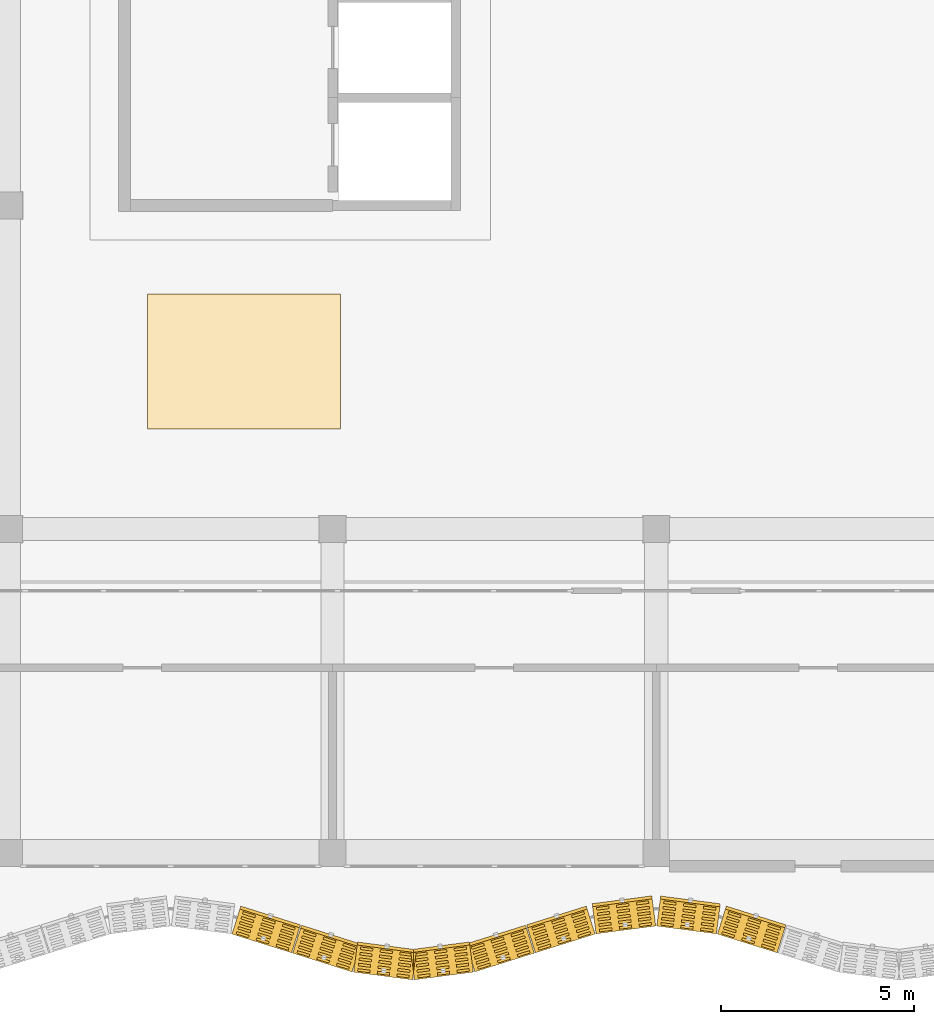
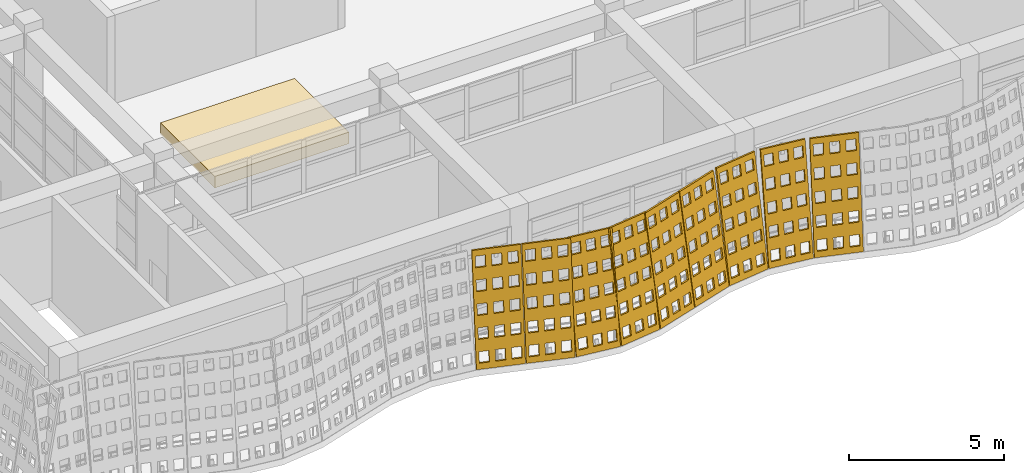
# One storey, part 73 of 85: 10 coverings.
"""IFC4 building model written with IfcOpenShell, lengths in metres."""

from ifc_helpers import new_model, si_unit, direction, frame, origin, place, context, subcontext, project, spatial, polyline, outline, extrude, material, layer, layer_set, type_object, element, save


model = new_model("IFC4")

# Units and contexts
model_context = context("Model", 3, precision=1e-05, world=origin(), true_north=direction((0.0, 1.0)))
body_context = subcontext(model_context, "Body", "Model", "MODEL_VIEW")
ifc_project = project(units=[si_unit("LENGTHUNIT", "METRE"), si_unit("AREAUNIT", "SQUARE_METRE"), si_unit("VOLUMEUNIT", "CUBIC_METRE"), si_unit("PLANEANGLEUNIT", "RADIAN"), si_unit("MASSUNIT", "GRAM", prefix="KILO")], contexts=[model_context])

# Site, building, storey
site_placement = place(None, origin())
site = spatial("IfcSite", under=ifc_project, at=site_placement, CompositionType="ELEMENT")
building_placement = place(site_placement, origin())
building = spatial("IfcBuilding", under=site, at=building_placement, Name="Rain Tree Exposition and Congress Centre", CompositionType="ELEMENT")
storey_placement = place(building_placement, frame((0.0, 0.0, 15.0)))
storey = spatial("IfcBuildingStorey", under=building, at=storey_placement, Name="L03", CompositionType="ELEMENT", Elevation=15.0)

# Coverings
ifc_material_1 = material(Name="Perforated terracotta", Category="masonry")
ifc_layer_1 = layer(ifc_material_1, 0.080078125)
ifc_layer_set_1 = layer_set([ifc_layer_1], Name="Perforated terracotta")
covering_type_1 = type_object("IfcCoveringType", Name="Terracotta screen 80", PredefinedType="CLADDING", material=ifc_layer_set_1)
covering_1_placement = place(storey_placement, frame((14.175537109375, -2.103515625, 0.0126953125), z_axis=(0.295717964052, 0.942029390639, -0.158529217842), x_axis=(-0.954094597562, 0.29950542383, 0.0)))
element("IfcCovering", 1, at=covering_1_placement, inside=storey, type_object=covering_type_1, Name="wing/screen/L03/010", PredefinedType="CLADDING", context=body_context, shape_type="SweptSolid", body=[
    extrude(outline(polyline([(-1.635986328125, 0.0), (-1.635986328125, 4.291259765625), (-0.014892578125, 4.291259765625), (-0.014892578125, 0.0), (-1.635986328125, 0.0)]), holes=[polyline([(-0.11767578125, 0.221435546875), (-0.11767578125, 0.63671875), (-0.45263671875, 0.63671875), (-0.45263671875, 0.221435546875), (-0.11767578125, 0.221435546875)]), polyline([(-0.11767578125, 1.07958984375), (-0.11767578125, 1.4951171875), (-0.45263671875, 1.4951171875), (-0.45263671875, 1.07958984375), (-0.11767578125, 1.07958984375)]), polyline([(-0.11767578125, 1.93798828125), (-0.11767578125, 2.353271484375), (-0.45263671875, 2.353271484375), (-0.45263671875, 1.93798828125), (-0.11767578125, 1.93798828125)]), polyline([(-0.11767578125, 2.796142578125), (-0.11767578125, 3.21142578125), (-0.45263671875, 3.21142578125), (-0.45263671875, 2.796142578125), (-0.11767578125, 2.796142578125)]), polyline([(-0.11767578125, 3.654541015625), (-0.11767578125, 4.06982421875), (-0.45263671875, 4.06982421875), (-0.45263671875, 3.654541015625), (-0.11767578125, 3.654541015625)]), polyline([(-0.657958984375, 0.221435546875), (-0.657958984375, 0.63671875), (-0.992919921875, 0.63671875), (-0.992919921875, 0.221435546875), (-0.657958984375, 0.221435546875)]), polyline([(-0.657958984375, 1.07958984375), (-0.657958984375, 1.4951171875), (-0.992919921875, 1.4951171875), (-0.992919921875, 1.07958984375), (-0.657958984375, 1.07958984375)]), polyline([(-0.657958984375, 1.93798828125), (-0.657958984375, 2.353271484375), (-0.992919921875, 2.353271484375), (-0.992919921875, 1.93798828125), (-0.657958984375, 1.93798828125)]), polyline([(-0.657958984375, 2.796142578125), (-0.657958984375, 3.21142578125), (-0.992919921875, 3.21142578125), (-0.992919921875, 2.796142578125), (-0.657958984375, 2.796142578125)]), polyline([(-0.657958984375, 3.654541015625), (-0.657958984375, 4.06982421875), (-0.992919921875, 4.06982421875), (-0.992919921875, 3.654541015625), (-0.657958984375, 3.654541015625)]), polyline([(-1.1982421875, 0.221435546875), (-1.1982421875, 0.63671875), (-1.533203125, 0.63671875), (-1.533203125, 0.221435546875), (-1.1982421875, 0.221435546875)]), polyline([(-1.1982421875, 1.07958984375), (-1.1982421875, 1.4951171875), (-1.533203125, 1.4951171875), (-1.533203125, 1.07958984375), (-1.1982421875, 1.07958984375)]), polyline([(-1.1982421875, 1.93798828125), (-1.1982421875, 2.353271484375), (-1.533203125, 2.353271484375), (-1.533203125, 1.93798828125), (-1.1982421875, 1.93798828125)]), polyline([(-1.1982421875, 2.796142578125), (-1.1982421875, 3.21142578125), (-1.533203125, 3.21142578125), (-1.533203125, 2.796142578125), (-1.1982421875, 2.796142578125)]), polyline([(-1.1982421875, 3.654541015625), (-1.1982421875, 4.06982421875), (-1.533203125, 4.06982421875), (-1.533203125, 3.654541015625), (-1.1982421875, 3.654541015625)])]), origin(), (0.0, 0.0, 1.0), 0.080078125),
])
covering_2_placement = place(storey_placement, frame((15.75048828125, -2.598388671875, 0.0126953125), z_axis=(0.298496232686, 0.941176896939, -0.158385756119), x_axis=(-0.953208958144, 0.302312226207, 0.0)))
element("IfcCovering", 2, at=covering_2_placement, inside=storey, type_object=covering_type_1, Name="wing/screen/L03/011", PredefinedType="CLADDING", context=body_context, shape_type="SweptSolid", body=[
    extrude(outline(polyline([(-1.62890625, 0.0), (-1.62890625, 4.291259765625), (-0.014892578125, 4.291259765625), (-0.014892578125, 0.0), (-1.62890625, 0.0)]), holes=[polyline([(-0.1171875, 0.221435546875), (-0.1171875, 0.63671875), (-0.45068359375, 0.63671875), (-0.45068359375, 0.221435546875), (-0.1171875, 0.221435546875)]), polyline([(-0.1171875, 1.07958984375), (-0.1171875, 1.4951171875), (-0.45068359375, 1.4951171875), (-0.45068359375, 1.07958984375), (-0.1171875, 1.07958984375)]), polyline([(-0.1171875, 1.93798828125), (-0.1171875, 2.353271484375), (-0.45068359375, 2.353271484375), (-0.45068359375, 1.93798828125), (-0.1171875, 1.93798828125)]), polyline([(-0.1171875, 2.796142578125), (-0.1171875, 3.21142578125), (-0.45068359375, 3.21142578125), (-0.45068359375, 2.796142578125), (-0.1171875, 2.796142578125)]), polyline([(-0.1171875, 3.654541015625), (-0.1171875, 4.06982421875), (-0.45068359375, 4.06982421875), (-0.45068359375, 3.654541015625), (-0.1171875, 3.654541015625)]), polyline([(-0.6552734375, 0.221435546875), (-0.6552734375, 0.63671875), (-0.98876953125, 0.63671875), (-0.98876953125, 0.221435546875), (-0.6552734375, 0.221435546875)]), polyline([(-0.6552734375, 1.07958984375), (-0.6552734375, 1.4951171875), (-0.98876953125, 1.4951171875), (-0.98876953125, 1.07958984375), (-0.6552734375, 1.07958984375)]), polyline([(-0.6552734375, 1.93798828125), (-0.6552734375, 2.353271484375), (-0.98876953125, 2.353271484375), (-0.98876953125, 1.93798828125), (-0.6552734375, 1.93798828125)]), polyline([(-0.6552734375, 2.796142578125), (-0.6552734375, 3.21142578125), (-0.98876953125, 3.21142578125), (-0.98876953125, 2.796142578125), (-0.6552734375, 2.796142578125)]), polyline([(-0.6552734375, 3.654541015625), (-0.6552734375, 4.06982421875), (-0.98876953125, 4.06982421875), (-0.98876953125, 3.654541015625), (-0.6552734375, 3.654541015625)]), polyline([(-1.193115234375, 0.221435546875), (-1.193115234375, 0.63671875), (-1.526611328125, 0.63671875), (-1.526611328125, 0.221435546875), (-1.193115234375, 0.221435546875)]), polyline([(-1.193115234375, 1.07958984375), (-1.193115234375, 1.4951171875), (-1.526611328125, 1.4951171875), (-1.526611328125, 1.07958984375), (-1.193115234375, 1.07958984375)]), polyline([(-1.193115234375, 1.93798828125), (-1.193115234375, 2.353271484375), (-1.526611328125, 2.353271484375), (-1.526611328125, 1.93798828125), (-1.193115234375, 1.93798828125)]), polyline([(-1.193115234375, 2.796142578125), (-1.193115234375, 3.21142578125), (-1.526611328125, 3.21142578125), (-1.526611328125, 2.796142578125), (-1.193115234375, 2.796142578125)]), polyline([(-1.193115234375, 3.654541015625), (-1.193115234375, 4.06982421875), (-1.526611328125, 4.06982421875), (-1.526611328125, 3.654541015625), (-1.193115234375, 3.654541015625)])]), origin(), (0.0, 0.0, 1.0), 0.080078125),
])
covering_3_placement = place(storey_placement, frame((17.3251953125, -3.093017578125, 0.01318359375), z_axis=(0.128349774249, 0.9779030419, -0.165021138321), x_axis=(-0.991496427865, 0.130133906157, 0.0)))
element("IfcCovering", 3, at=covering_3_placement, inside=storey, type_object=covering_type_1, Name="wing/screen/L03/012", PredefinedType="CLADDING", context=body_context, shape_type="SweptSolid", body=[
    extrude(outline(polyline([(-1.56298828125, 0.0), (-1.56298828125, 4.295166015625), (-0.02197265625, 4.295166015625), (-0.02197265625, 0.0), (-1.56298828125, 0.0)]), holes=[polyline([(-0.11962890625, 0.2216796875), (-0.11962890625, 0.63720703125), (-0.43798828125, 0.63720703125), (-0.43798828125, 0.2216796875), (-0.11962890625, 0.2216796875)]), polyline([(-0.11962890625, 1.080810546875), (-0.11962890625, 1.496337890625), (-0.43798828125, 1.496337890625), (-0.43798828125, 1.080810546875), (-0.11962890625, 1.080810546875)]), polyline([(-0.11962890625, 1.939697265625), (-0.11962890625, 2.35546875), (-0.43798828125, 2.35546875), (-0.43798828125, 1.939697265625), (-0.11962890625, 1.939697265625)]), polyline([(-0.11962890625, 2.798583984375), (-0.11962890625, 3.21435546875), (-0.43798828125, 3.21435546875), (-0.43798828125, 2.798583984375), (-0.11962890625, 2.798583984375)]), polyline([(-0.11962890625, 3.65771484375), (-0.11962890625, 4.073486328125), (-0.43798828125, 4.073486328125), (-0.43798828125, 3.65771484375), (-0.11962890625, 3.65771484375)]), polyline([(-0.63330078125, 0.2216796875), (-0.63330078125, 0.63720703125), (-0.95166015625, 0.63720703125), (-0.95166015625, 0.2216796875), (-0.63330078125, 0.2216796875)]), polyline([(-0.63330078125, 1.080810546875), (-0.63330078125, 1.496337890625), (-0.95166015625, 1.496337890625), (-0.95166015625, 1.080810546875), (-0.63330078125, 1.080810546875)]), polyline([(-0.63330078125, 1.939697265625), (-0.63330078125, 2.35546875), (-0.95166015625, 2.35546875), (-0.95166015625, 1.939697265625), (-0.63330078125, 1.939697265625)]), polyline([(-0.63330078125, 2.798583984375), (-0.63330078125, 3.21435546875), (-0.95166015625, 3.21435546875), (-0.95166015625, 2.798583984375), (-0.63330078125, 2.798583984375)]), polyline([(-0.63330078125, 3.65771484375), (-0.63330078125, 4.073486328125), (-0.95166015625, 4.073486328125), (-0.95166015625, 3.65771484375), (-0.63330078125, 3.65771484375)]), polyline([(-1.146728515625, 0.2216796875), (-1.146728515625, 0.63720703125), (-1.46533203125, 0.63720703125), (-1.46533203125, 0.2216796875), (-1.146728515625, 0.2216796875)]), polyline([(-1.146728515625, 1.080810546875), (-1.146728515625, 1.496337890625), (-1.46533203125, 1.496337890625), (-1.46533203125, 1.080810546875), (-1.146728515625, 1.080810546875)]), polyline([(-1.146728515625, 1.939697265625), (-1.146728515625, 2.35546875), (-1.46533203125, 2.35546875), (-1.46533203125, 1.939697265625), (-1.146728515625, 1.939697265625)]), polyline([(-1.146728515625, 2.798583984375), (-1.146728515625, 3.21435546875), (-1.46533203125, 3.21435546875), (-1.46533203125, 2.798583984375), (-1.146728515625, 2.798583984375)]), polyline([(-1.146728515625, 3.65771484375), (-1.146728515625, 4.073486328125), (-1.46533203125, 4.073486328125), (-1.46533203125, 3.65771484375), (-1.146728515625, 3.65771484375)])]), origin(), (0.0, 0.0, 1.0), 0.079833984375),
])
covering_4_placement = place(storey_placement, frame((18.899658203125, -3.298095703125, 0.01318359375), z_axis=(-0.128349774249, 0.9779030419, -0.165021138321), x_axis=(-0.991496427865, -0.130133906157, 0.0)))
element("IfcCovering", 4, at=covering_4_placement, inside=storey, type_object=covering_type_1, Name="wing/screen/L03/013", PredefinedType="CLADDING", context=body_context, shape_type="SweptSolid", body=[
    extrude(outline(polyline([(-1.56640625, 0.0), (-1.56640625, 4.295166015625), (-0.025390625, 4.295166015625), (-0.025390625, 0.0), (-1.56640625, 0.0)]), holes=[polyline([(-0.123046875, 0.2216796875), (-0.123046875, 0.63720703125), (-0.44140625, 0.63720703125), (-0.44140625, 0.2216796875), (-0.123046875, 0.2216796875)]), polyline([(-0.123046875, 1.080810546875), (-0.123046875, 1.496337890625), (-0.44140625, 1.496337890625), (-0.44140625, 1.080810546875), (-0.123046875, 1.080810546875)]), polyline([(-0.123046875, 1.939697265625), (-0.123046875, 2.35546875), (-0.44140625, 2.35546875), (-0.44140625, 1.939697265625), (-0.123046875, 1.939697265625)]), polyline([(-0.123046875, 2.798583984375), (-0.123046875, 3.21435546875), (-0.44140625, 3.21435546875), (-0.44140625, 2.798583984375), (-0.123046875, 2.798583984375)]), polyline([(-0.123046875, 3.65771484375), (-0.123046875, 4.073486328125), (-0.44140625, 4.073486328125), (-0.44140625, 3.65771484375), (-0.123046875, 3.65771484375)]), polyline([(-0.63671875, 0.2216796875), (-0.63671875, 0.63720703125), (-0.955078125, 0.63720703125), (-0.955078125, 0.2216796875), (-0.63671875, 0.2216796875)]), polyline([(-0.63671875, 1.080810546875), (-0.63671875, 1.496337890625), (-0.955078125, 1.496337890625), (-0.955078125, 1.080810546875), (-0.63671875, 1.080810546875)]), polyline([(-0.63671875, 1.939697265625), (-0.63671875, 2.35546875), (-0.955078125, 2.35546875), (-0.955078125, 1.939697265625), (-0.63671875, 1.939697265625)]), polyline([(-0.63671875, 2.798583984375), (-0.63671875, 3.21435546875), (-0.955078125, 3.21435546875), (-0.955078125, 2.798583984375), (-0.63671875, 2.798583984375)]), polyline([(-0.63671875, 3.65771484375), (-0.63671875, 4.073486328125), (-0.955078125, 4.073486328125), (-0.955078125, 3.65771484375), (-0.63671875, 3.65771484375)]), polyline([(-1.150146484375, 0.2216796875), (-1.150146484375, 0.63720703125), (-1.46875, 0.63720703125), (-1.46875, 0.2216796875), (-1.150146484375, 0.2216796875)]), polyline([(-1.150146484375, 1.080810546875), (-1.150146484375, 1.496337890625), (-1.46875, 1.496337890625), (-1.46875, 1.080810546875), (-1.150146484375, 1.080810546875)]), polyline([(-1.150146484375, 1.939697265625), (-1.150146484375, 2.35546875), (-1.46875, 2.35546875), (-1.46875, 1.939697265625), (-1.150146484375, 1.939697265625)]), polyline([(-1.150146484375, 2.798583984375), (-1.150146484375, 3.21435546875), (-1.46875, 3.21435546875), (-1.46875, 2.798583984375), (-1.150146484375, 2.798583984375)]), polyline([(-1.150146484375, 3.65771484375), (-1.150146484375, 4.073486328125), (-1.46875, 4.073486328125), (-1.46875, 3.65771484375), (-1.150146484375, 3.65771484375)])]), origin(), (0.0, 0.0, 1.0), 0.079833984375),
])
covering_5_placement = place(storey_placement, frame((20.474365234375, -3.093505859375, 0.0126953125), z_axis=(-0.295717964052, 0.942029390639, -0.158529217842), x_axis=(-0.954094597562, -0.29950542383, 0.0)))
element("IfcCovering", 5, at=covering_5_placement, inside=storey, type_object=covering_type_1, Name="wing/screen/L03/014", PredefinedType="CLADDING", context=body_context, shape_type="SweptSolid", body=[
    extrude(outline(polyline([(-1.635986328125, 0.0), (-1.635986328125, 4.291259765625), (-0.02197265625, 4.291259765625), (-0.02197265625, 0.0), (-1.635986328125, 0.0)]), holes=[polyline([(-0.124267578125, 0.221435546875), (-0.124267578125, 0.63671875), (-0.457763671875, 0.63671875), (-0.457763671875, 0.221435546875), (-0.124267578125, 0.221435546875)]), polyline([(-0.124267578125, 1.07958984375), (-0.124267578125, 1.4951171875), (-0.457763671875, 1.4951171875), (-0.457763671875, 1.07958984375), (-0.124267578125, 1.07958984375)]), polyline([(-0.124267578125, 1.93798828125), (-0.124267578125, 2.353271484375), (-0.457763671875, 2.353271484375), (-0.457763671875, 1.93798828125), (-0.124267578125, 1.93798828125)]), polyline([(-0.124267578125, 2.796142578125), (-0.124267578125, 3.21142578125), (-0.457763671875, 3.21142578125), (-0.457763671875, 2.796142578125), (-0.124267578125, 2.796142578125)]), polyline([(-0.124267578125, 3.654541015625), (-0.124267578125, 4.06982421875), (-0.457763671875, 4.06982421875), (-0.457763671875, 3.654541015625), (-0.124267578125, 3.654541015625)]), polyline([(-0.662109375, 0.221435546875), (-0.662109375, 0.63671875), (-0.995849609375, 0.63671875), (-0.995849609375, 0.221435546875), (-0.662109375, 0.221435546875)]), polyline([(-0.662109375, 1.07958984375), (-0.662109375, 1.4951171875), (-0.995849609375, 1.4951171875), (-0.995849609375, 1.07958984375), (-0.662109375, 1.07958984375)]), polyline([(-0.662109375, 1.93798828125), (-0.662109375, 2.353271484375), (-0.995849609375, 2.353271484375), (-0.995849609375, 1.93798828125), (-0.662109375, 1.93798828125)]), polyline([(-0.662109375, 2.796142578125), (-0.662109375, 3.21142578125), (-0.995849609375, 3.21142578125), (-0.995849609375, 2.796142578125), (-0.662109375, 2.796142578125)]), polyline([(-0.662109375, 3.654541015625), (-0.662109375, 4.06982421875), (-0.995849609375, 4.06982421875), (-0.995849609375, 3.654541015625), (-0.662109375, 3.654541015625)]), polyline([(-1.2001953125, 0.221435546875), (-1.2001953125, 0.63671875), (-1.53369140625, 0.63671875), (-1.53369140625, 0.221435546875), (-1.2001953125, 0.221435546875)]), polyline([(-1.2001953125, 1.07958984375), (-1.2001953125, 1.4951171875), (-1.53369140625, 1.4951171875), (-1.53369140625, 1.07958984375), (-1.2001953125, 1.07958984375)]), polyline([(-1.2001953125, 1.93798828125), (-1.2001953125, 2.353271484375), (-1.53369140625, 2.353271484375), (-1.53369140625, 1.93798828125), (-1.2001953125, 1.93798828125)]), polyline([(-1.2001953125, 2.796142578125), (-1.2001953125, 3.21142578125), (-1.53369140625, 3.21142578125), (-1.53369140625, 2.796142578125), (-1.2001953125, 2.796142578125)]), polyline([(-1.2001953125, 3.654541015625), (-1.2001953125, 4.06982421875), (-1.53369140625, 4.06982421875), (-1.53369140625, 3.654541015625), (-1.2001953125, 3.654541015625)])]), origin(), (0.0, 0.0, 1.0), 0.080078125),
])
covering_6_placement = place(storey_placement, frame((22.04931640625, -2.598388671875, 0.0126953125), z_axis=(-0.295717964052, 0.942029390639, -0.158529217842), x_axis=(-0.954094597562, -0.29950542383, 0.0)))
element("IfcCovering", 6, at=covering_6_placement, inside=storey, type_object=covering_type_1, Name="wing/screen/L03/015", PredefinedType="CLADDING", context=body_context, shape_type="SweptSolid", body=[
    extrude(outline(polyline([(-1.635986328125, 0.0), (-1.635986328125, 4.291259765625), (-0.014892578125, 4.291259765625), (-0.014892578125, 0.0), (-1.635986328125, 0.0)]), holes=[polyline([(-0.11767578125, 0.221435546875), (-0.11767578125, 0.63671875), (-0.45263671875, 0.63671875), (-0.45263671875, 0.221435546875), (-0.11767578125, 0.221435546875)]), polyline([(-0.11767578125, 1.07958984375), (-0.11767578125, 1.4951171875), (-0.45263671875, 1.4951171875), (-0.45263671875, 1.07958984375), (-0.11767578125, 1.07958984375)]), polyline([(-0.11767578125, 1.93798828125), (-0.11767578125, 2.353271484375), (-0.45263671875, 2.353271484375), (-0.45263671875, 1.93798828125), (-0.11767578125, 1.93798828125)]), polyline([(-0.11767578125, 2.796142578125), (-0.11767578125, 3.21142578125), (-0.45263671875, 3.21142578125), (-0.45263671875, 2.796142578125), (-0.11767578125, 2.796142578125)]), polyline([(-0.11767578125, 3.654541015625), (-0.11767578125, 4.06982421875), (-0.45263671875, 4.06982421875), (-0.45263671875, 3.654541015625), (-0.11767578125, 3.654541015625)]), polyline([(-0.657958984375, 0.221435546875), (-0.657958984375, 0.63671875), (-0.992919921875, 0.63671875), (-0.992919921875, 0.221435546875), (-0.657958984375, 0.221435546875)]), polyline([(-0.657958984375, 1.07958984375), (-0.657958984375, 1.4951171875), (-0.992919921875, 1.4951171875), (-0.992919921875, 1.07958984375), (-0.657958984375, 1.07958984375)]), polyline([(-0.657958984375, 1.93798828125), (-0.657958984375, 2.353271484375), (-0.992919921875, 2.353271484375), (-0.992919921875, 1.93798828125), (-0.657958984375, 1.93798828125)]), polyline([(-0.657958984375, 2.796142578125), (-0.657958984375, 3.21142578125), (-0.992919921875, 3.21142578125), (-0.992919921875, 2.796142578125), (-0.657958984375, 2.796142578125)]), polyline([(-0.657958984375, 3.654541015625), (-0.657958984375, 4.06982421875), (-0.992919921875, 4.06982421875), (-0.992919921875, 3.654541015625), (-0.657958984375, 3.654541015625)]), polyline([(-1.1982421875, 0.221435546875), (-1.1982421875, 0.63671875), (-1.533203125, 0.63671875), (-1.533203125, 0.221435546875), (-1.1982421875, 0.221435546875)]), polyline([(-1.1982421875, 1.07958984375), (-1.1982421875, 1.4951171875), (-1.533203125, 1.4951171875), (-1.533203125, 1.07958984375), (-1.1982421875, 1.07958984375)]), polyline([(-1.1982421875, 1.93798828125), (-1.1982421875, 2.353271484375), (-1.533203125, 2.353271484375), (-1.533203125, 1.93798828125), (-1.1982421875, 1.93798828125)]), polyline([(-1.1982421875, 2.796142578125), (-1.1982421875, 3.21142578125), (-1.533203125, 3.21142578125), (-1.533203125, 2.796142578125), (-1.1982421875, 2.796142578125)]), polyline([(-1.1982421875, 3.654541015625), (-1.1982421875, 4.06982421875), (-1.533203125, 4.06982421875), (-1.533203125, 3.654541015625), (-1.1982421875, 3.654541015625)])]), origin(), (0.0, 0.0, 1.0), 0.080078125),
])
covering_7_placement = place(storey_placement, frame((23.624755859375, -2.10302734375, 0.01318359375), z_axis=(-0.128349774249, 0.9779030419, -0.165021138321), x_axis=(-0.991496427865, -0.130133906157, 0.0)))
element("IfcCovering", 7, at=covering_7_placement, inside=storey, type_object=covering_type_1, Name="wing/screen/L03/016", PredefinedType="CLADDING", context=body_context, shape_type="SweptSolid", body=[
    extrude(outline(polyline([(-1.5732421875, 0.0), (-1.5732421875, 4.295166015625), (-0.014892578125, 4.295166015625), (-0.014892578125, 0.0), (-1.5732421875, 0.0)]), holes=[polyline([(-0.11376953125, 0.2216796875), (-0.11376953125, 0.63720703125), (-0.435791015625, 0.63720703125), (-0.435791015625, 0.2216796875), (-0.11376953125, 0.2216796875)]), polyline([(-0.11376953125, 1.080810546875), (-0.11376953125, 1.496337890625), (-0.435791015625, 1.496337890625), (-0.435791015625, 1.080810546875), (-0.11376953125, 1.080810546875)]), polyline([(-0.11376953125, 1.939697265625), (-0.11376953125, 2.35546875), (-0.435791015625, 2.35546875), (-0.435791015625, 1.939697265625), (-0.11376953125, 1.939697265625)]), polyline([(-0.11376953125, 2.798583984375), (-0.11376953125, 3.21435546875), (-0.435791015625, 3.21435546875), (-0.435791015625, 2.798583984375), (-0.11376953125, 2.798583984375)]), polyline([(-0.11376953125, 3.65771484375), (-0.11376953125, 4.073486328125), (-0.435791015625, 4.073486328125), (-0.435791015625, 3.65771484375), (-0.11376953125, 3.65771484375)]), polyline([(-0.633056640625, 0.2216796875), (-0.633056640625, 0.63720703125), (-0.955078125, 0.63720703125), (-0.955078125, 0.2216796875), (-0.633056640625, 0.2216796875)]), polyline([(-0.633056640625, 1.080810546875), (-0.633056640625, 1.496337890625), (-0.955078125, 1.496337890625), (-0.955078125, 1.080810546875), (-0.633056640625, 1.080810546875)]), polyline([(-0.633056640625, 1.939697265625), (-0.633056640625, 2.35546875), (-0.955078125, 2.35546875), (-0.955078125, 1.939697265625), (-0.633056640625, 1.939697265625)]), polyline([(-0.633056640625, 2.798583984375), (-0.633056640625, 3.21435546875), (-0.955078125, 3.21435546875), (-0.955078125, 2.798583984375), (-0.633056640625, 2.798583984375)]), polyline([(-0.633056640625, 3.65771484375), (-0.633056640625, 4.073486328125), (-0.955078125, 4.073486328125), (-0.955078125, 3.65771484375), (-0.633056640625, 3.65771484375)]), polyline([(-1.152587890625, 0.2216796875), (-1.152587890625, 0.63720703125), (-1.474609375, 0.63720703125), (-1.474609375, 0.2216796875), (-1.152587890625, 0.2216796875)]), polyline([(-1.152587890625, 1.080810546875), (-1.152587890625, 1.496337890625), (-1.474609375, 1.496337890625), (-1.474609375, 1.080810546875), (-1.152587890625, 1.080810546875)]), polyline([(-1.152587890625, 1.939697265625), (-1.152587890625, 2.35546875), (-1.474609375, 2.35546875), (-1.474609375, 1.939697265625), (-1.152587890625, 1.939697265625)]), polyline([(-1.152587890625, 2.798583984375), (-1.152587890625, 3.21435546875), (-1.474609375, 3.21435546875), (-1.474609375, 2.798583984375), (-1.152587890625, 2.798583984375)]), polyline([(-1.152587890625, 3.65771484375), (-1.152587890625, 4.073486328125), (-1.474609375, 4.073486328125), (-1.474609375, 3.65771484375), (-1.152587890625, 3.65771484375)])]), origin(), (0.0, 0.0, 1.0), 0.079833984375),
])
covering_8_placement = place(storey_placement, frame((25.2001953125, -1.898193359375, 0.01318359375), z_axis=(0.127967328105, 0.978036007662, -0.16452942185), x_axis=(-0.991548658387, 0.129735338481, 0.0)))
element("IfcCovering", 8, at=covering_8_placement, inside=storey, type_object=covering_type_1, Name="wing/screen/L03/017", PredefinedType="CLADDING", context=body_context, shape_type="SweptSolid", body=[
    extrude(outline(polyline([(-1.5732421875, 0.0), (-1.5732421875, 4.295166015625), (-0.014892578125, 4.295166015625), (-0.014892578125, 0.0), (-1.5732421875, 0.0)]), holes=[polyline([(-0.11376953125, 0.2216796875), (-0.11376953125, 0.63720703125), (-0.435791015625, 0.63720703125), (-0.435791015625, 0.2216796875), (-0.11376953125, 0.2216796875)]), polyline([(-0.11376953125, 1.080810546875), (-0.11376953125, 1.496337890625), (-0.435791015625, 1.496337890625), (-0.435791015625, 1.080810546875), (-0.11376953125, 1.080810546875)]), polyline([(-0.11376953125, 1.939697265625), (-0.11376953125, 2.35546875), (-0.435791015625, 2.35546875), (-0.435791015625, 1.939697265625), (-0.11376953125, 1.939697265625)]), polyline([(-0.11376953125, 2.798583984375), (-0.11376953125, 3.21435546875), (-0.435791015625, 3.21435546875), (-0.435791015625, 2.798583984375), (-0.11376953125, 2.798583984375)]), polyline([(-0.11376953125, 3.65771484375), (-0.11376953125, 4.073486328125), (-0.435791015625, 4.073486328125), (-0.435791015625, 3.65771484375), (-0.11376953125, 3.65771484375)]), polyline([(-0.633056640625, 0.2216796875), (-0.633056640625, 0.63720703125), (-0.955078125, 0.63720703125), (-0.955078125, 0.2216796875), (-0.633056640625, 0.2216796875)]), polyline([(-0.633056640625, 1.080810546875), (-0.633056640625, 1.496337890625), (-0.955078125, 1.496337890625), (-0.955078125, 1.080810546875), (-0.633056640625, 1.080810546875)]), polyline([(-0.633056640625, 1.939697265625), (-0.633056640625, 2.35546875), (-0.955078125, 2.35546875), (-0.955078125, 1.939697265625), (-0.633056640625, 1.939697265625)]), polyline([(-0.633056640625, 2.798583984375), (-0.633056640625, 3.21435546875), (-0.955078125, 3.21435546875), (-0.955078125, 2.798583984375), (-0.633056640625, 2.798583984375)]), polyline([(-0.633056640625, 3.65771484375), (-0.633056640625, 4.073486328125), (-0.955078125, 4.073486328125), (-0.955078125, 3.65771484375), (-0.633056640625, 3.65771484375)]), polyline([(-1.152587890625, 0.2216796875), (-1.152587890625, 0.63720703125), (-1.474609375, 0.63720703125), (-1.474609375, 0.2216796875), (-1.152587890625, 0.2216796875)]), polyline([(-1.152587890625, 1.080810546875), (-1.152587890625, 1.496337890625), (-1.474609375, 1.496337890625), (-1.474609375, 1.080810546875), (-1.152587890625, 1.080810546875)]), polyline([(-1.152587890625, 1.939697265625), (-1.152587890625, 2.35546875), (-1.474609375, 2.35546875), (-1.474609375, 1.939697265625), (-1.152587890625, 1.939697265625)]), polyline([(-1.152587890625, 2.798583984375), (-1.152587890625, 3.21435546875), (-1.474609375, 3.21435546875), (-1.474609375, 2.798583984375), (-1.152587890625, 2.798583984375)]), polyline([(-1.152587890625, 3.65771484375), (-1.152587890625, 4.073486328125), (-1.474609375, 4.073486328125), (-1.474609375, 3.65771484375), (-1.152587890625, 3.65771484375)])]), origin(), (0.0, 0.0, 1.0), 0.080078125),
])
covering_9_placement = place(storey_placement, frame((26.775634765625, -2.103515625, 0.0126953125), z_axis=(0.295717964052, 0.942029390639, -0.158529217842), x_axis=(-0.954094597562, 0.29950542383, 0.0)))
element("IfcCovering", 9, at=covering_9_placement, inside=storey, type_object=covering_type_1, Name="wing/screen/L03/018", PredefinedType="CLADDING", context=body_context, shape_type="SweptSolid", body=[
    extrude(outline(polyline([(-1.635986328125, 0.0), (-1.635986328125, 4.291259765625), (-0.014892578125, 4.291259765625), (-0.014892578125, 0.0), (-1.635986328125, 0.0)]), holes=[polyline([(-0.11767578125, 0.221435546875), (-0.11767578125, 0.63671875), (-0.45263671875, 0.63671875), (-0.45263671875, 0.221435546875), (-0.11767578125, 0.221435546875)]), polyline([(-0.11767578125, 1.07958984375), (-0.11767578125, 1.4951171875), (-0.45263671875, 1.4951171875), (-0.45263671875, 1.07958984375), (-0.11767578125, 1.07958984375)]), polyline([(-0.11767578125, 1.93798828125), (-0.11767578125, 2.353271484375), (-0.45263671875, 2.353271484375), (-0.45263671875, 1.93798828125), (-0.11767578125, 1.93798828125)]), polyline([(-0.11767578125, 2.796142578125), (-0.11767578125, 3.21142578125), (-0.45263671875, 3.21142578125), (-0.45263671875, 2.796142578125), (-0.11767578125, 2.796142578125)]), polyline([(-0.11767578125, 3.654541015625), (-0.11767578125, 4.06982421875), (-0.45263671875, 4.06982421875), (-0.45263671875, 3.654541015625), (-0.11767578125, 3.654541015625)]), polyline([(-0.657958984375, 0.221435546875), (-0.657958984375, 0.63671875), (-0.992919921875, 0.63671875), (-0.992919921875, 0.221435546875), (-0.657958984375, 0.221435546875)]), polyline([(-0.657958984375, 1.07958984375), (-0.657958984375, 1.4951171875), (-0.992919921875, 1.4951171875), (-0.992919921875, 1.07958984375), (-0.657958984375, 1.07958984375)]), polyline([(-0.657958984375, 1.93798828125), (-0.657958984375, 2.353271484375), (-0.992919921875, 2.353271484375), (-0.992919921875, 1.93798828125), (-0.657958984375, 1.93798828125)]), polyline([(-0.657958984375, 2.796142578125), (-0.657958984375, 3.21142578125), (-0.992919921875, 3.21142578125), (-0.992919921875, 2.796142578125), (-0.657958984375, 2.796142578125)]), polyline([(-0.657958984375, 3.654541015625), (-0.657958984375, 4.06982421875), (-0.992919921875, 4.06982421875), (-0.992919921875, 3.654541015625), (-0.657958984375, 3.654541015625)]), polyline([(-1.1982421875, 0.221435546875), (-1.1982421875, 0.63671875), (-1.533203125, 0.63671875), (-1.533203125, 0.221435546875), (-1.1982421875, 0.221435546875)]), polyline([(-1.1982421875, 1.07958984375), (-1.1982421875, 1.4951171875), (-1.533203125, 1.4951171875), (-1.533203125, 1.07958984375), (-1.1982421875, 1.07958984375)]), polyline([(-1.1982421875, 1.93798828125), (-1.1982421875, 2.353271484375), (-1.533203125, 2.353271484375), (-1.533203125, 1.93798828125), (-1.1982421875, 1.93798828125)]), polyline([(-1.1982421875, 2.796142578125), (-1.1982421875, 3.21142578125), (-1.533203125, 3.21142578125), (-1.533203125, 2.796142578125), (-1.1982421875, 2.796142578125)]), polyline([(-1.1982421875, 3.654541015625), (-1.1982421875, 4.06982421875), (-1.533203125, 4.06982421875), (-1.533203125, 3.654541015625), (-1.1982421875, 3.654541015625)])]), origin(), (0.0, 0.0, 1.0), 0.080078125),
])
ifc_material_2 = material(Name="Planting soil", Category="soil")
ifc_layer_2 = layer(ifc_material_2, 0.449951171875)
ifc_layer_set_2 = layer_set([ifc_layer_2], Name="Planting soil")
covering_type_2 = type_object("IfcCoveringType", Name="Wing court planting bed 450", PredefinedType="FLOORING", material=ifc_layer_set_2)
covering_10_placement = place(storey_placement, origin())
element("IfcCovering", 10, at=covering_10_placement, inside=storey, type_object=covering_type_2, Name="Planting bed 1", PredefinedType="FLOORING", context=body_context, shape_type="SweptSolid", body=[
    extrude(outline(polyline([(12.0, 11.0), (17.0, 11.0), (17.0, 14.5), (12.0, 14.5), (12.0, 11.0)])), origin(), (0.0, 0.0, 1.0), 0.449951171875),
])

save(model, "model.ifc")
